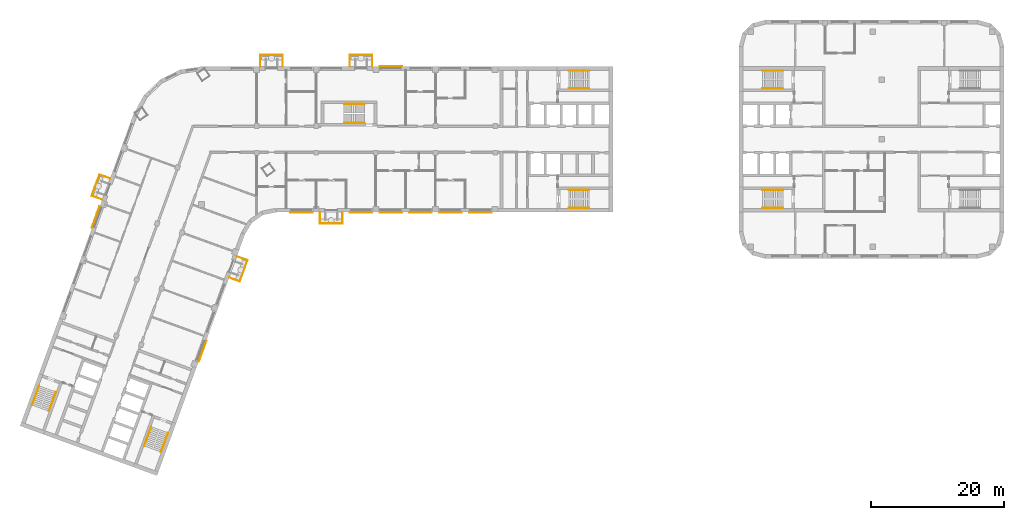
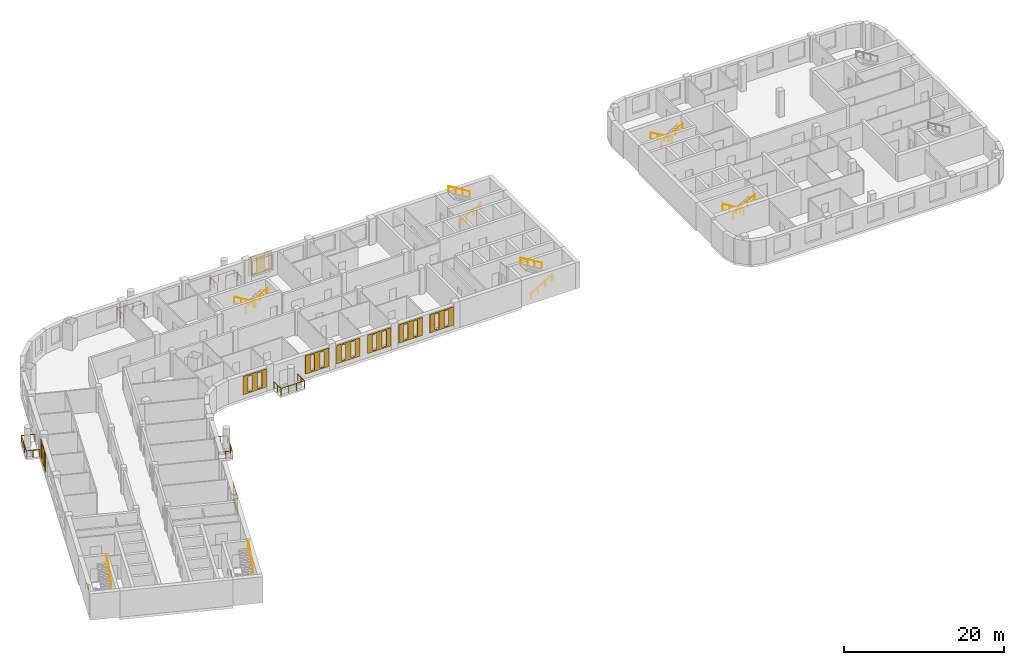
# One storey, part 13 of 16: 19 railings, 9 coverings.
"""IFC4 building model written with IfcOpenShell, lengths in metres."""

from ifc_helpers import new_model, si_unit, direction, frame, origin, origin_2d, place, context, subcontext, project, spatial, polyline, circle, outline, extrude, material, material_profile, profile_set, type_object, element, save


model = new_model("IFC4")

# Units and contexts
model_context = context("Model", 3, precision=1e-05, world=origin(), true_north=direction((0.0, 1.0)))
body_context = subcontext(model_context, "Body", "Model", "MODEL_VIEW")
ifc_project = project(units=[si_unit("LENGTHUNIT", "METRE"), si_unit("AREAUNIT", "SQUARE_METRE"), si_unit("VOLUMEUNIT", "CUBIC_METRE"), si_unit("PLANEANGLEUNIT", "RADIAN"), si_unit("MASSUNIT", "GRAM", prefix="KILO")], contexts=[model_context])

# Site, building, storey
site_placement = place(None, origin())
site = spatial("IfcSite", under=ifc_project, at=site_placement, CompositionType="ELEMENT")
building_placement = place(site_placement, origin())
building = spatial("IfcBuilding", under=site, at=building_placement, Name="Skarvind Civic Tower", CompositionType="ELEMENT")
storey_placement = place(building_placement, frame((0.0, 0.0, 43.5)))
storey = spatial("IfcBuildingStorey", under=building, at=storey_placement, Name="L09", CompositionType="ELEMENT", Elevation=43.5)

# Railings
ifc_material_1 = material(Name="Stainless steel balustrade", Category="steel")
railing_type_1 = type_object("IfcRailingType", Name="GR1 GUARD 1100", PredefinedType="GUARDRAIL", material=ifc_material_1)
railing_1_placement = place(storey_placement, frame((51.274658203125, 110.330322265625, 0.0)))
element("IfcRailing", 1, at=railing_1_placement, inside=storey, type_object=railing_type_1, Name="TREE BALCONY GUARD", PredefinedType="GUARDRAIL", context=body_context, shape_type="SweptSolid", body=[
    extrude(circle(Radius=0.02392578125, at=origin_2d()), frame((0.0, 0.0, 1.076171875), z_axis=(0.939684369409, -0.342042812948, 0.0), x_axis=(0.342042812948, 0.939684369409, 0.0)), (0.0, 0.0, 1.0), 1.7001953125),
    extrude(circle(Radius=0.02392578125, at=origin_2d()), frame((1.59765625, -0.58154296875, 1.076171875), z_axis=(-0.342088971896, -0.93966756638, 0.0), x_axis=(0.93966756638, -0.342088971896, 0.0)), (0.0, 0.0, 1.0), 3.39990234375),
    extrude(circle(Radius=0.02392578125, at=origin_2d()), frame((0.4345703125, -3.7763671875, 1.076171875), z_axis=(-0.93966756638, 0.342088971896, 0.0), x_axis=(-0.342088971896, -0.93966756638, 0.0)), (0.0, 0.0, 1.0), 1.699951171875),
    extrude(circle(Radius=0.02099609375, at=origin_2d()), origin(), (0.0, 0.0, 1.0), 1.052001953125),
    extrude(circle(Radius=0.02099609375, at=origin_2d()), frame((0.798828125, -0.290771484375, 0.0)), (0.0, 0.0, 1.0), 1.052001953125),
    extrude(circle(Radius=0.02099609375, at=origin_2d()), frame((1.59765625, -0.58154296875, 0.0)), (0.0, 0.0, 1.0), 1.052001953125),
    extrude(circle(Radius=0.02099609375, at=origin_2d()), frame((1.2099609375, -1.646484375, 0.0)), (0.0, 0.0, 1.0), 1.052001953125),
    extrude(circle(Radius=0.02099609375, at=origin_2d()), frame((0.822265625, -2.71142578125, 0.0)), (0.0, 0.0, 1.0), 1.052001953125),
    extrude(circle(Radius=0.02099609375, at=origin_2d()), frame((0.4345703125, -3.7763671875, 0.0)), (0.0, 0.0, 1.0), 1.052001953125),
    extrude(circle(Radius=0.02099609375, at=origin_2d()), frame((-0.3642578125, -3.485595703125, 0.0)), (0.0, 0.0, 1.0), 1.052001953125),
    extrude(circle(Radius=0.02099609375, at=origin_2d()), frame((-1.162841796875, -3.19482421875, 0.0)), (0.0, 0.0, 1.0), 1.052001953125),
])
railing_2_placement = place(storey_placement, frame((67.199951171875, 117.0, 0.0)))
element("IfcRailing", 2, at=railing_2_placement, inside=storey, type_object=railing_type_1, Name="TREE BALCONY GUARD", PredefinedType="GUARDRAIL", context=body_context, shape_type="SweptSolid", body=[
    extrude(circle(Radius=0.02392578125, at=origin_2d()), frame((0.0, 0.0, 1.076171875), z_axis=(0.0, -1.0, 0.0), x_axis=(1.0, 0.0, 0.0)), (0.0, 0.0, 1.0), 1.699951171875),
    extrude(circle(Radius=0.02392578125, at=origin_2d()), frame((0.0, -1.699951171875, 1.076171875), z_axis=(-1.0, 0.0, 0.0), x_axis=(0.0, -1.0, 0.0)), (0.0, 0.0, 1.0), 3.39990234375),
    extrude(circle(Radius=0.02392578125, at=origin_2d()), frame((-3.39990234375, -1.699951171875, 1.076171875), z_axis=(0.0, 1.0, 0.0), x_axis=(-1.0, 0.0, 0.0)), (0.0, 0.0, 1.0), 1.699951171875),
    extrude(circle(Radius=0.02099609375, at=origin_2d()), origin(), (0.0, 0.0, 1.0), 1.052001953125),
    extrude(circle(Radius=0.02099609375, at=origin_2d()), frame((0.0, -0.85009765625, 0.0)), (0.0, 0.0, 1.0), 1.052001953125),
    extrude(circle(Radius=0.02099609375, at=origin_2d()), frame((0.0, -1.699951171875, 0.0)), (0.0, 0.0, 1.0), 1.052001953125),
    extrude(circle(Radius=0.02099609375, at=origin_2d()), frame((-1.13330078125, -1.699951171875, 0.0)), (0.0, 0.0, 1.0), 1.052001953125),
    extrude(circle(Radius=0.02099609375, at=origin_2d()), frame((-2.2666015625, -1.699951171875, 0.0)), (0.0, 0.0, 1.0), 1.052001953125),
    extrude(circle(Radius=0.02099609375, at=origin_2d()), frame((-3.39990234375, -1.699951171875, 0.0)), (0.0, 0.0, 1.0), 1.052001953125),
    extrude(circle(Radius=0.02099609375, at=origin_2d()), frame((-3.39990234375, -0.85009765625, 0.0)), (0.0, 0.0, 1.0), 1.052001953125),
    extrude(circle(Radius=0.02099609375, at=origin_2d()), frame((-3.39990234375, 0.0, 0.0)), (0.0, 0.0, 1.0), 1.052001953125),
])
for number, where, name in (
    (3, (54.800048828125, 139.0, 0.0), "TREE BALCONY GUARD"),
    (4, (68.300048828125, 139.0, 0.0), "TREE BALCONY GUARD"),
):
    element("IfcRailing", number, at=place(storey_placement, frame(where)), inside=storey, type_object=railing_type_1, Name=name, PredefinedType="GUARDRAIL", context=body_context, shape_type="SweptSolid", body=[
        extrude(circle(Radius=0.02392578125, at=origin_2d()), frame((0.0, 0.0, 1.076171875), z_axis=(0.0, 1.0, 0.0), x_axis=(-1.0, 0.0, 0.0)), (0.0, 0.0, 1.0), 1.699951171875),
        extrude(circle(Radius=0.02392578125, at=origin_2d()), frame((0.0, 1.699951171875, 1.076171875), z_axis=(1.0, 0.0, 0.0), x_axis=(0.0, 1.0, 0.0)), (0.0, 0.0, 1.0), 3.39990234375),
        extrude(circle(Radius=0.02392578125, at=origin_2d()), frame((3.39990234375, 1.699951171875, 1.076171875), z_axis=(0.0, -1.0, 0.0), x_axis=(1.0, 0.0, 0.0)), (0.0, 0.0, 1.0), 1.699951171875),
        extrude(circle(Radius=0.02099609375, at=origin_2d()), origin(), (0.0, 0.0, 1.0), 1.052001953125),
        extrude(circle(Radius=0.02099609375, at=origin_2d()), frame((0.0, 0.85009765625, 0.0)), (0.0, 0.0, 1.0), 1.052001953125),
        extrude(circle(Radius=0.02099609375, at=origin_2d()), frame((0.0, 1.699951171875, 0.0)), (0.0, 0.0, 1.0), 1.052001953125),
        extrude(circle(Radius=0.02099609375, at=origin_2d()), frame((1.13330078125, 1.699951171875, 0.0)), (0.0, 0.0, 1.0), 1.052001953125),
        extrude(circle(Radius=0.02099609375, at=origin_2d()), frame((2.2666015625, 1.699951171875, 0.0)), (0.0, 0.0, 1.0), 1.052001953125),
        extrude(circle(Radius=0.02099609375, at=origin_2d()), frame((3.39990234375, 1.699951171875, 0.0)), (0.0, 0.0, 1.0), 1.052001953125),
        extrude(circle(Radius=0.02099609375, at=origin_2d()), frame((3.39990234375, 0.85009765625, 0.0)), (0.0, 0.0, 1.0), 1.052001953125),
        extrude(circle(Radius=0.02099609375, at=origin_2d()), frame((3.39990234375, 0.0, 0.0)), (0.0, 0.0, 1.0), 1.052001953125),
    ])
railing_3_placement = place(storey_placement, frame((30.977783203125, 118.888427734375, 0.0)))
element("IfcRailing", 5, at=railing_3_placement, inside=storey, type_object=railing_type_1, Name="TREE BALCONY GUARD", PredefinedType="GUARDRAIL", context=body_context, shape_type="SweptSolid", body=[
    extrude(circle(Radius=0.02392578125, at=origin_2d()), frame((0.0, 0.0, 1.076171875), z_axis=(-0.939684369409, 0.342042812948, 0.0), x_axis=(-0.342042812948, -0.939684369409, 0.0)), (0.0, 0.0, 1.0), 1.7001953125),
    extrude(circle(Radius=0.02392578125, at=origin_2d()), frame((-1.59765625, 0.58154296875, 1.076171875), z_axis=(0.342088971896, 0.93966756638, 0.0), x_axis=(-0.93966756638, 0.342088971896, 0.0)), (0.0, 0.0, 1.0), 3.39990234375),
    extrude(circle(Radius=0.02392578125, at=origin_2d()), frame((-0.4345703125, 3.7763671875, 1.076171875), z_axis=(0.939713724856, -0.341962154804, 0.0), x_axis=(0.341962154804, 0.939713724856, 0.0)), (0.0, 0.0, 1.0), 1.699951171875),
    extrude(circle(Radius=0.02099609375, at=origin_2d()), origin(), (0.0, 0.0, 1.0), 1.052001953125),
    extrude(circle(Radius=0.02099609375, at=origin_2d()), frame((-0.798828125, 0.290771484375, 0.0)), (0.0, 0.0, 1.0), 1.052001953125),
    extrude(circle(Radius=0.02099609375, at=origin_2d()), frame((-1.59765625, 0.58154296875, 0.0)), (0.0, 0.0, 1.0), 1.052001953125),
    extrude(circle(Radius=0.02099609375, at=origin_2d()), frame((-1.2099609375, 1.646484375, 0.0)), (0.0, 0.0, 1.0), 1.052001953125),
    extrude(circle(Radius=0.02099609375, at=origin_2d()), frame((-0.822265625, 2.71142578125, 0.0)), (0.0, 0.0, 1.0), 1.052001953125),
    extrude(circle(Radius=0.02099609375, at=origin_2d()), frame((-0.4345703125, 3.7763671875, 0.0)), (0.0, 0.0, 1.0), 1.052001953125),
    extrude(circle(Radius=0.02099609375, at=origin_2d()), frame((0.3642578125, 3.48583984375, 0.0)), (0.0, 0.0, 1.0), 1.052001953125),
    extrude(circle(Radius=0.02099609375, at=origin_2d()), frame((1.162841796875, 3.195068359375, 0.0)), (0.0, 0.0, 1.0), 1.052001953125),
])
ifc_material_2 = material(Name="Painted steel handrail", Category="steel")
railing_type_2 = type_object("IfcRailingType", Name="Stair handrail 900", PredefinedType="HANDRAIL", material=ifc_material_2)
railing_4_placement = place(storey_placement, frame((101.35009765625, 135.64990234375, 0.166748046875)))
element("IfcRailing", 6, at=railing_4_placement, inside=storey, type_object=railing_type_2, Name="Stair handrail", PredefinedType="HANDRAIL", context=body_context, shape_type="SweptSolid", body=[
    extrude(circle(Radius=0.02392578125, at=origin_2d()), frame((0.0, 0.0, 0.8759765625), z_axis=(0.859290745958, 0.0, 0.51148745235), x_axis=(0.0, 1.0, 0.0)), (0.0, 0.0, 1.0), 3.584228515625),
    extrude(circle(Radius=0.02099609375, at=origin_2d()), origin(), (0.0, 0.0, 1.0), 0.851806640625),
    extrude(circle(Radius=0.02099609375, at=origin_2d()), frame((1.026611328125, 0.0, 0.611083984375)), (0.0, 0.0, 1.0), 0.851806640625),
    extrude(circle(Radius=0.02099609375, at=origin_2d()), frame((2.05322265625, 0.0, 1.22216796875)), (0.0, 0.0, 1.0), 0.851806640625),
    extrude(circle(Radius=0.02099609375, at=origin_2d()), frame((3.079833984375, 0.0, 1.833251953125)), (0.0, 0.0, 1.0), 0.851806640625),
])
railing_5_placement = place(storey_placement, frame((104.429931640625, 138.35009765625, 2.166748046875)))
element("IfcRailing", 7, at=railing_5_placement, inside=storey, type_object=railing_type_2, Name="Stair handrail", PredefinedType="HANDRAIL", context=body_context, shape_type="SweptSolid", body=[
    extrude(circle(Radius=0.02392578125, at=origin_2d()), frame((0.0, 0.0, 0.8759765625), z_axis=(-0.859290745958, 0.0, 0.51148745235), x_axis=(0.0, -1.0, 0.0)), (0.0, 0.0, 1.0), 3.584228515625),
    extrude(circle(Radius=0.02099609375, at=origin_2d()), origin(), (0.0, 0.0, 1.0), 0.851806640625),
    extrude(circle(Radius=0.02099609375, at=origin_2d()), frame((-1.026611328125, 0.0, 0.611083984375)), (0.0, 0.0, 1.0), 0.851806640625),
    extrude(circle(Radius=0.02099609375, at=origin_2d()), frame((-2.05322265625, 0.0, 1.22216796875)), (0.0, 0.0, 1.0), 0.851806640625),
    extrude(circle(Radius=0.02099609375, at=origin_2d()), frame((-3.079833984375, 0.0, 1.833251953125)), (0.0, 0.0, 1.0), 0.851806640625),
])
railing_6_placement = place(storey_placement, frame((101.35009765625, 117.64990234375, 0.166748046875)))
element("IfcRailing", 8, at=railing_6_placement, inside=storey, type_object=railing_type_2, Name="Stair handrail", PredefinedType="HANDRAIL", context=body_context, shape_type="SweptSolid", body=[
    extrude(circle(Radius=0.02392578125, at=origin_2d()), frame((0.0, 0.0, 0.8759765625), z_axis=(0.859290745958, 0.0, 0.51148745235), x_axis=(0.0, 1.0, 0.0)), (0.0, 0.0, 1.0), 3.584228515625),
    extrude(circle(Radius=0.02099609375, at=origin_2d()), origin(), (0.0, 0.0, 1.0), 0.851806640625),
    extrude(circle(Radius=0.02099609375, at=origin_2d()), frame((1.026611328125, 0.0, 0.611083984375)), (0.0, 0.0, 1.0), 0.851806640625),
    extrude(circle(Radius=0.02099609375, at=origin_2d()), frame((2.05322265625, 0.0, 1.22216796875)), (0.0, 0.0, 1.0), 0.851806640625),
    extrude(circle(Radius=0.02099609375, at=origin_2d()), frame((3.079833984375, 0.0, 1.833251953125)), (0.0, 0.0, 1.0), 0.851806640625),
])
railing_7_placement = place(storey_placement, frame((104.429931640625, 120.35009765625, 2.166748046875)))
element("IfcRailing", 9, at=railing_7_placement, inside=storey, type_object=railing_type_2, Name="Stair handrail", PredefinedType="HANDRAIL", context=body_context, shape_type="SweptSolid", body=[
    extrude(circle(Radius=0.02392578125, at=origin_2d()), frame((0.0, 0.0, 0.8759765625), z_axis=(-0.859290745958, 0.0, 0.51148745235), x_axis=(0.0, -1.0, 0.0)), (0.0, 0.0, 1.0), 3.584228515625),
    extrude(circle(Radius=0.02099609375, at=origin_2d()), origin(), (0.0, 0.0, 1.0), 0.851806640625),
    extrude(circle(Radius=0.02099609375, at=origin_2d()), frame((-1.026611328125, 0.0, 0.611083984375)), (0.0, 0.0, 1.0), 0.851806640625),
    extrude(circle(Radius=0.02099609375, at=origin_2d()), frame((-2.05322265625, 0.0, 1.22216796875)), (0.0, 0.0, 1.0), 0.851806640625),
    extrude(circle(Radius=0.02099609375, at=origin_2d()), frame((-3.079833984375, 0.0, 1.833251953125)), (0.0, 0.0, 1.0), 0.851806640625),
])
railing_8_placement = place(storey_placement, frame((38.362060546875, 84.64794921875, 0.166748046875)))
element("IfcRailing", 10, at=railing_8_placement, inside=storey, type_object=railing_type_2, Name="Stair handrail", PredefinedType="HANDRAIL", context=body_context, shape_type="SweptSolid", body=[
    extrude(circle(Radius=0.02392578125, at=origin_2d()), frame((0.0, 0.0, 0.8759765625), z_axis=(-0.293908055923, -0.807480881337, 0.511461319103), x_axis=(0.939689235759, -0.342029443467, 0.0)), (0.0, 0.0, 1.0), 3.584228515625),
    extrude(circle(Radius=0.02099609375, at=origin_2d()), origin(), (0.0, 0.0, 1.0), 0.851806640625),
    extrude(circle(Radius=0.02099609375, at=origin_2d()), frame((-0.35107421875, -0.96484375, 0.611083984375)), (0.0, 0.0, 1.0), 0.851806640625),
    extrude(circle(Radius=0.02099609375, at=origin_2d()), frame((-0.702392578125, -1.929443359375, 1.22216796875)), (0.0, 0.0, 1.0), 0.851806640625),
    extrude(circle(Radius=0.02099609375, at=origin_2d()), frame((-1.053466796875, -2.894287109375, 1.833251953125)), (0.0, 0.0, 1.0), 0.851806640625),
])
railing_9_placement = place(storey_placement, frame((39.845703125, 80.830078125, 2.166748046875)))
element("IfcRailing", 11, at=railing_9_placement, inside=storey, type_object=railing_type_2, Name="Stair handrail", PredefinedType="HANDRAIL", context=body_context, shape_type="SweptSolid", body=[
    extrude(circle(Radius=0.02392578125, at=origin_2d()), frame((0.0, 0.0, 0.8759765625), z_axis=(0.293908055923, 0.807480881337, 0.511461319103), x_axis=(-0.939689235759, 0.342029443467, 0.0)), (0.0, 0.0, 1.0), 3.584228515625),
    extrude(circle(Radius=0.02099609375, at=origin_2d()), origin(), (0.0, 0.0, 1.0), 0.851806640625),
    extrude(circle(Radius=0.02099609375, at=origin_2d()), frame((0.35107421875, 0.96484375, 0.611083984375)), (0.0, 0.0, 1.0), 0.851806640625),
    extrude(circle(Radius=0.02099609375, at=origin_2d()), frame((0.702392578125, 1.929443359375, 1.22216796875)), (0.0, 0.0, 1.0), 0.851806640625),
    extrude(circle(Radius=0.02099609375, at=origin_2d()), frame((1.053466796875, 2.894287109375, 1.833251953125)), (0.0, 0.0, 1.0), 0.851806640625),
])
railing_10_placement = place(storey_placement, frame((21.447509765625, 90.80419921875, 0.166748046875)))
element("IfcRailing", 12, at=railing_10_placement, inside=storey, type_object=railing_type_2, Name="Stair handrail", PredefinedType="HANDRAIL", context=body_context, shape_type="SweptSolid", body=[
    extrude(circle(Radius=0.02392578125, at=origin_2d()), frame((0.0, 0.0, 0.8759765625), z_axis=(-0.293845824691, -0.807497044902, 0.511471557163), x_axis=(0.939714709796, -0.34195944817, 0.0)), (0.0, 0.0, 1.0), 3.584228515625),
    extrude(circle(Radius=0.02099609375, at=origin_2d()), origin(), (0.0, 0.0, 1.0), 0.851806640625),
    extrude(circle(Radius=0.02099609375, at=origin_2d()), frame((-0.35107421875, -0.96484375, 0.611083984375)), (0.0, 0.0, 1.0), 0.851806640625),
    extrude(circle(Radius=0.02099609375, at=origin_2d()), frame((-0.7021484375, -1.929443359375, 1.22216796875)), (0.0, 0.0, 1.0), 0.851806640625),
    extrude(circle(Radius=0.02099609375, at=origin_2d()), frame((-1.05322265625, -2.894287109375, 1.833251953125)), (0.0, 0.0, 1.0), 0.851806640625),
])
railing_11_placement = place(storey_placement, frame((22.931396484375, 86.986572265625, 2.166748046875)))
element("IfcRailing", 13, at=railing_11_placement, inside=storey, type_object=railing_type_2, Name="Stair handrail", PredefinedType="HANDRAIL", context=body_context, shape_type="SweptSolid", body=[
    extrude(circle(Radius=0.02392578125, at=origin_2d()), frame((0.0, 0.0, 0.8759765625), z_axis=(0.293908055923, 0.807480881337, 0.511461319103), x_axis=(-0.939689235759, 0.342029443467, 0.0)), (0.0, 0.0, 1.0), 3.584228515625),
    extrude(circle(Radius=0.02099609375, at=origin_2d()), origin(), (0.0, 0.0, 1.0), 0.851806640625),
    extrude(circle(Radius=0.02099609375, at=origin_2d()), frame((0.35107421875, 0.96484375, 0.611083984375)), (0.0, 0.0, 1.0), 0.851806640625),
    extrude(circle(Radius=0.02099609375, at=origin_2d()), frame((0.702392578125, 1.929443359375, 1.22216796875)), (0.0, 0.0, 1.0), 0.851806640625),
    extrude(circle(Radius=0.02099609375, at=origin_2d()), frame((1.053466796875, 2.894287109375, 1.833251953125)), (0.0, 0.0, 1.0), 0.851806640625),
])
railing_12_placement = place(storey_placement, frame((133.64990234375, 120.35009765625, 0.166748046875)))
element("IfcRailing", 14, at=railing_12_placement, inside=storey, type_object=railing_type_2, Name="Stair handrail", PredefinedType="HANDRAIL", context=body_context, shape_type="SweptSolid", body=[
    extrude(circle(Radius=0.02392578125, at=origin_2d()), frame((0.0, 0.0, 0.8759765625), z_axis=(-0.859290745958, 0.0, 0.51148745235), x_axis=(0.0, -1.0, 0.0)), (0.0, 0.0, 1.0), 3.584228515625),
    extrude(circle(Radius=0.02099609375, at=origin_2d()), origin(), (0.0, 0.0, 1.0), 0.851806640625),
    extrude(circle(Radius=0.02099609375, at=origin_2d()), frame((-1.026611328125, 0.0, 0.611083984375)), (0.0, 0.0, 1.0), 0.851806640625),
    extrude(circle(Radius=0.02099609375, at=origin_2d()), frame((-2.05322265625, 0.0, 1.22216796875)), (0.0, 0.0, 1.0), 0.851806640625),
    extrude(circle(Radius=0.02099609375, at=origin_2d()), frame((-3.079833984375, 0.0, 1.833251953125)), (0.0, 0.0, 1.0), 0.851806640625),
])
railing_13_placement = place(storey_placement, frame((130.570068359375, 117.64990234375, 2.166748046875)))
element("IfcRailing", 15, at=railing_13_placement, inside=storey, type_object=railing_type_2, Name="Stair handrail", PredefinedType="HANDRAIL", context=body_context, shape_type="SweptSolid", body=[
    extrude(circle(Radius=0.02392578125, at=origin_2d()), frame((0.0, 0.0, 0.8759765625), z_axis=(0.859290745958, 0.0, 0.51148745235), x_axis=(0.0, 1.0, 0.0)), (0.0, 0.0, 1.0), 3.584228515625),
    extrude(circle(Radius=0.02099609375, at=origin_2d()), origin(), (0.0, 0.0, 1.0), 0.851806640625),
    extrude(circle(Radius=0.02099609375, at=origin_2d()), frame((1.026611328125, 0.0, 0.611083984375)), (0.0, 0.0, 1.0), 0.851806640625),
    extrude(circle(Radius=0.02099609375, at=origin_2d()), frame((2.05322265625, 0.0, 1.22216796875)), (0.0, 0.0, 1.0), 0.851806640625),
    extrude(circle(Radius=0.02099609375, at=origin_2d()), frame((3.079833984375, 0.0, 1.833251953125)), (0.0, 0.0, 1.0), 0.851806640625),
])
railing_14_placement = place(storey_placement, frame((133.64990234375, 138.35009765625, 0.166748046875)))
element("IfcRailing", 16, at=railing_14_placement, inside=storey, type_object=railing_type_2, Name="Stair handrail", PredefinedType="HANDRAIL", context=body_context, shape_type="SweptSolid", body=[
    extrude(circle(Radius=0.02392578125, at=origin_2d()), frame((0.0, 0.0, 0.8759765625), z_axis=(-0.859290745958, 0.0, 0.51148745235), x_axis=(0.0, -1.0, 0.0)), (0.0, 0.0, 1.0), 3.584228515625),
    extrude(circle(Radius=0.02099609375, at=origin_2d()), origin(), (0.0, 0.0, 1.0), 0.851806640625),
    extrude(circle(Radius=0.02099609375, at=origin_2d()), frame((-1.026611328125, 0.0, 0.611083984375)), (0.0, 0.0, 1.0), 0.851806640625),
    extrude(circle(Radius=0.02099609375, at=origin_2d()), frame((-2.05322265625, 0.0, 1.22216796875)), (0.0, 0.0, 1.0), 0.851806640625),
    extrude(circle(Radius=0.02099609375, at=origin_2d()), frame((-3.079833984375, 0.0, 1.833251953125)), (0.0, 0.0, 1.0), 0.851806640625),
])
railing_15_placement = place(storey_placement, frame((130.570068359375, 135.64990234375, 2.166748046875)))
element("IfcRailing", 17, at=railing_15_placement, inside=storey, type_object=railing_type_2, Name="Stair handrail", PredefinedType="HANDRAIL", context=body_context, shape_type="SweptSolid", body=[
    extrude(circle(Radius=0.02392578125, at=origin_2d()), frame((0.0, 0.0, 0.8759765625), z_axis=(0.859290745958, 0.0, 0.51148745235), x_axis=(0.0, 1.0, 0.0)), (0.0, 0.0, 1.0), 3.584228515625),
    extrude(circle(Radius=0.02099609375, at=origin_2d()), origin(), (0.0, 0.0, 1.0), 0.851806640625),
    extrude(circle(Radius=0.02099609375, at=origin_2d()), frame((1.026611328125, 0.0, 0.611083984375)), (0.0, 0.0, 1.0), 0.851806640625),
    extrude(circle(Radius=0.02099609375, at=origin_2d()), frame((2.05322265625, 0.0, 1.22216796875)), (0.0, 0.0, 1.0), 0.851806640625),
    extrude(circle(Radius=0.02099609375, at=origin_2d()), frame((3.079833984375, 0.0, 1.833251953125)), (0.0, 0.0, 1.0), 0.851806640625),
])
railing_16_placement = place(storey_placement, frame((70.550048828125, 133.35009765625, 0.166748046875)))
element("IfcRailing", 18, at=railing_16_placement, inside=storey, type_object=railing_type_2, Name="Stair handrail", PredefinedType="HANDRAIL", context=body_context, shape_type="SweptSolid", body=[
    extrude(circle(Radius=0.02392578125, at=origin_2d()), frame((0.0, 0.0, 0.8759765625), z_axis=(-0.859308565015, 0.0, 0.511457515432), x_axis=(0.0, -1.0, 0.0)), (0.0, 0.0, 1.0), 3.58447265625),
    extrude(circle(Radius=0.02099609375, at=origin_2d()), origin(), (0.0, 0.0, 1.0), 0.851806640625),
    extrude(circle(Radius=0.02099609375, at=origin_2d()), frame((-1.026611328125, 0.0, 0.611083984375)), (0.0, 0.0, 1.0), 0.851806640625),
    extrude(circle(Radius=0.02099609375, at=origin_2d()), frame((-2.053466796875, 0.0, 1.22216796875)), (0.0, 0.0, 1.0), 0.851806640625),
    extrude(circle(Radius=0.02099609375, at=origin_2d()), frame((-3.080078125, 0.0, 1.833251953125)), (0.0, 0.0, 1.0), 0.851806640625),
])
railing_17_placement = place(storey_placement, frame((67.469970703125, 130.449951171875, 2.166748046875)))
element("IfcRailing", 19, at=railing_17_placement, inside=storey, type_object=railing_type_2, Name="Stair handrail", PredefinedType="HANDRAIL", context=body_context, shape_type="SweptSolid", body=[
    extrude(circle(Radius=0.02392578125, at=origin_2d()), frame((0.0, 0.0, 0.8759765625), z_axis=(0.859308565015, 0.0, 0.511457515432), x_axis=(0.0, 1.0, 0.0)), (0.0, 0.0, 1.0), 3.58447265625),
    extrude(circle(Radius=0.02099609375, at=origin_2d()), origin(), (0.0, 0.0, 1.0), 0.851806640625),
    extrude(circle(Radius=0.02099609375, at=origin_2d()), frame((1.026611328125, 0.0, 0.611083984375)), (0.0, 0.0, 1.0), 0.851806640625),
    extrude(circle(Radius=0.02099609375, at=origin_2d()), frame((2.053466796875, 0.0, 1.22216796875)), (0.0, 0.0, 1.0), 0.851806640625),
    extrude(circle(Radius=0.02099609375, at=origin_2d()), frame((3.080078125, 0.0, 1.833251953125)), (0.0, 0.0, 1.0), 0.851806640625),
])

# Coverings
ifc_material_3 = material(Name="Terracotta", Category="masonry")
ifc_material_profile_1 = material_profile(ifc_material_3, outline(polyline([(-1.699951171875, -1.39990234375), (1.699951171875, -1.39990234375), (1.699951171875, 1.39990234375), (-1.699951171875, 1.39990234375), (-1.699951171875, -1.39990234375)]), holes=[polyline([(-1.0, -1.18994140625), (-0.39990234375, -1.18994140625), (-0.39990234375, 1.18994140625), (-1.0, 1.18994140625), (-1.0, -1.18994140625)]), polyline([(0.39990234375, -1.18994140625), (1.0, -1.18994140625), (1.0, 1.18994140625), (0.39990234375, 1.18994140625), (0.39990234375, -1.18994140625)])]), Name="TERRACOTTA SCREEN 3400 x 2800, SLIT PITCH 1400")
ifc_profile_set_1 = profile_set([ifc_material_profile_1], Name="Terracotta")
covering_type_1 = type_object("IfcCoveringType", Name="TERRACOTTA SCREEN 3400 x 2800, SLIT PITCH 1400", PredefinedType="CLADDING", material=ifc_profile_set_1)
for number, where, z_axis, x_axis, name in (
    (20, (88.0, 117.0, 2.10009765625), (0.0, -1.0, 0.0), (1.0, 0.0, 0.0), "TERRACOTTA SCREEN"),
    (21, (83.5, 117.0, 2.10009765625), (0.0, -1.0, 0.0), (1.0, 0.0, 0.0), "TERRACOTTA SCREEN"),
    (22, (79.0, 117.0, 2.10009765625), (0.0, -1.0, 0.0), (1.0, 0.0, 0.0), "TERRACOTTA SCREEN"),
    (23, (74.5, 117.0, 2.10009765625), (0.0, -1.0, 0.0), (1.0, 0.0, 0.0), "TERRACOTTA SCREEN"),
    (24, (70.0, 117.0, 2.10009765625), (0.0, -1.0, 0.0), (1.0, 0.0, 0.0), "TERRACOTTA SCREEN"),
    (25, (61.0, 117.0, 2.10009765625), (0.0, -1.0, 0.0), (1.0, 0.0, 0.0), "TERRACOTTA SCREEN"),
):
    element("IfcCovering", number, at=place(storey_placement, frame(where, z_axis=z_axis, x_axis=x_axis)), inside=storey, type_object=covering_type_1, Name=name, PredefinedType="CLADDING", context=body_context, shape_type="SweptSolid", body=[
        extrude(outline(polyline([(-1.699951171875, -1.39990234375), (1.699951171875, -1.39990234375), (1.699951171875, 1.39990234375), (-1.699951171875, 1.39990234375), (-1.699951171875, -1.39990234375)]), holes=[polyline([(-1.0, -1.18994140625), (-0.39990234375, -1.18994140625), (-0.39990234375, 1.18994140625), (-1.0, 1.18994140625), (-1.0, -1.18994140625)]), polyline([(0.39990234375, -1.18994140625), (1.0, -1.18994140625), (1.0, 1.18994140625), (0.39990234375, 1.18994140625), (0.39990234375, -1.18994140625)])]), origin(), (0.0, 0.0, 1.0), 0.06005859375),
    ])
ifc_material_profile_2 = material_profile(ifc_material_3, outline(polyline([(-1.699951171875, -1.39990234375), (1.699951171875, -1.39990234375), (1.699951171875, 1.39990234375), (-1.699951171875, 1.39990234375), (-1.699951171875, -1.39990234375)]), holes=[polyline([(-1.199951171875, -1.18994140625), (-0.60009765625, -1.18994140625), (-0.60009765625, 1.18994140625), (-1.199951171875, 1.18994140625), (-1.199951171875, -1.18994140625)]), polyline([(0.60009765625, -1.18994140625), (1.199951171875, -1.18994140625), (1.199951171875, 1.18994140625), (0.60009765625, 1.18994140625), (0.60009765625, -1.18994140625)])]), Name="TERRACOTTA SCREEN 3400 x 2800, SLIT PITCH 1800")
ifc_profile_set_2 = profile_set([ifc_material_profile_2], Name="Terracotta")
covering_type_2 = type_object("IfcCoveringType", Name="TERRACOTTA SCREEN 3400 x 2800, SLIT PITCH 1800", PredefinedType="CLADDING", material=ifc_profile_set_2)
for number, where, z_axis, x_axis, name in (
    (26, (46.075927734375, 96.047119140625, 2.10009765625), (0.939793423488, -0.341743063087, 0.0), (0.341743063087, 0.939793423488, 0.0), "TERRACOTTA SCREEN"),
    (27, (74.5, 139.0, 2.10009765625), (0.0, 1.0, 0.0), (-1.0, 0.0, 0.0), "TERRACOTTA SCREEN"),
    (28, (30.02001953125, 116.25732421875, 2.10009765625), (-0.939793423488, 0.341743063087, 0.0), (-0.341743063087, -0.939793423488, 0.0), "TERRACOTTA SCREEN"),
):
    element("IfcCovering", number, at=place(storey_placement, frame(where, z_axis=z_axis, x_axis=x_axis)), inside=storey, type_object=covering_type_2, Name=name, PredefinedType="CLADDING", context=body_context, shape_type="SweptSolid", body=[
        extrude(outline(polyline([(-1.699951171875, -1.39990234375), (1.699951171875, -1.39990234375), (1.699951171875, 1.39990234375), (-1.699951171875, 1.39990234375), (-1.699951171875, -1.39990234375)]), holes=[polyline([(-1.199951171875, -1.18994140625), (-0.60009765625, -1.18994140625), (-0.60009765625, 1.18994140625), (-1.199951171875, 1.18994140625), (-1.199951171875, -1.18994140625)]), polyline([(0.60009765625, -1.18994140625), (1.199951171875, -1.18994140625), (1.199951171875, 1.18994140625), (0.60009765625, 1.18994140625), (0.60009765625, -1.18994140625)])]), origin(), (0.0, 0.0, 1.0), 0.06005859375),
    ])

save(model, "model.ifc")
